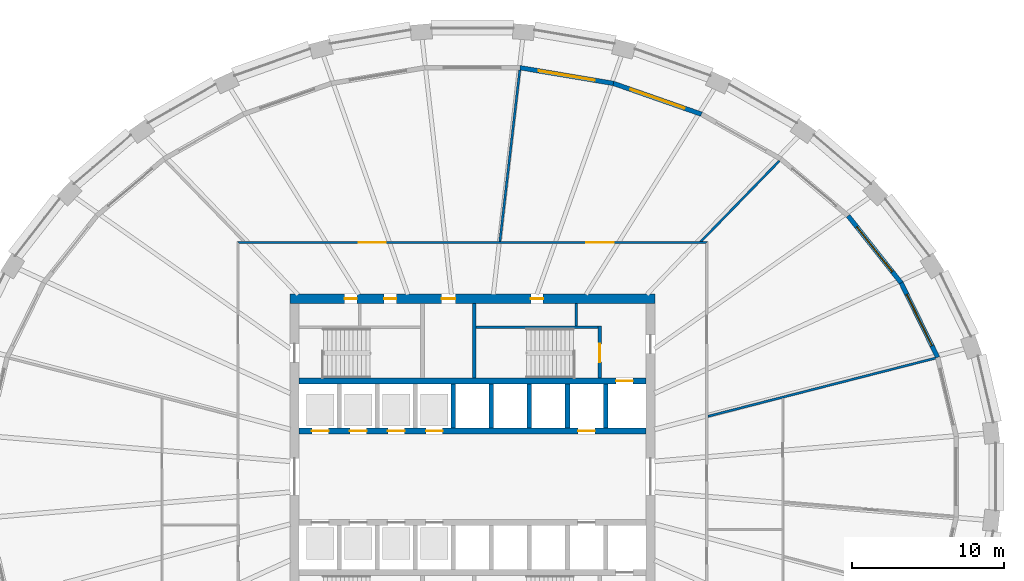
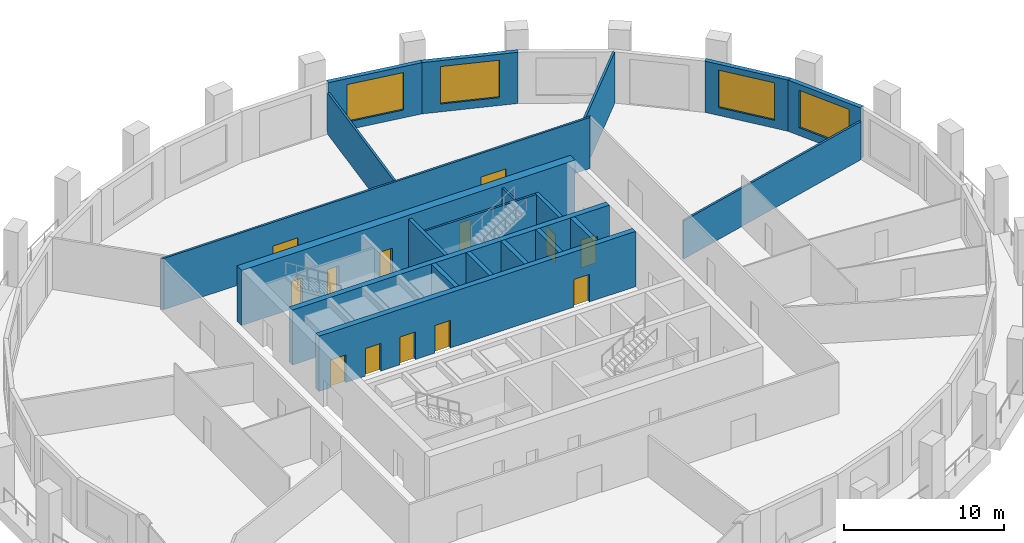
# One storey, part 6 of 10: 20 walls, 13 doors, 4 windows, 17 openings.
"""IFC4 building model written with IfcOpenShell, lengths in metres."""

from ifc_helpers import new_model, si_unit, direction, frame, frame_2d, origin, place, context, subcontext, project, spatial, polyline, rectangle, outline, extrude, material, layer, layer_set, type_object, element, fill, save


model = new_model("IFC4")

# Units and contexts
model_context = context("Model", 3, precision=1e-05, world=origin(), true_north=direction((0.0, 1.0)))
body_context = subcontext(model_context, "Body", "Model", "MODEL_VIEW")
ifc_project = project(units=[si_unit("LENGTHUNIT", "METRE"), si_unit("AREAUNIT", "SQUARE_METRE"), si_unit("VOLUMEUNIT", "CUBIC_METRE"), si_unit("PLANEANGLEUNIT", "RADIAN"), si_unit("MASSUNIT", "GRAM", prefix="KILO")], contexts=[model_context])

# Site, building, storey
site_placement = place(None, origin())
site = spatial("IfcSite", under=ifc_project, at=site_placement, CompositionType="ELEMENT")
building_placement = place(site_placement, origin())
building = spatial("IfcBuilding", under=site, at=building_placement, Name="Halqa Exchange Tower", CompositionType="ELEMENT")
storey_placement = place(building_placement, frame((0.0, 0.0, 138.10009765625)))
storey = spatial("IfcBuildingStorey", under=building, at=storey_placement, Name="L31", CompositionType="ELEMENT", Elevation=138.10009765625)

# Wall, openings, doors
ifc_material_1 = material(Name="Fire-rated gypsum board")
ifc_layer_1 = layer(ifc_material_1, 0.14990234375)
ifc_layer_set_1 = layer_set([ifc_layer_1], Name="Fire-rated gypsum board")
wall_type_1 = type_object("IfcWallType", Name="Fire partition EI 60 150", PredefinedType="PARTITIONING", material=ifc_layer_set_1)
wall_1_placement = place(storey_placement, frame((-15.47509765625, 15.39990234375, 0.0), z_axis=(0.0, 0.0, 1.0), x_axis=(1.0, 0.0, 0.0)))
wall_1 = element("IfcWall", 1, at=wall_1_placement, inside=storey, type_object=wall_type_1, Name="L31-PWL-009", PredefinedType="PARTITIONING", context=body_context, shape_type="SweptSolid", body=[
    extrude(outline(polyline([(0.150146484375, -0.074951171875), (2.065673828125, -0.074951171875), (3.9814453125, -0.074951171875), (5.89697265625, -0.074951171875), (7.8125, -0.074951171875), (9.728271484375, -0.074951171875), (11.643798828125, -0.074951171875), (13.5595703125, -0.074951171875), (15.47509765625, -0.074951171875), (17.390625, -0.074951171875), (19.306396484375, -0.074951171875), (21.221923828125, -0.074951171875), (23.1376953125, -0.074951171875), (25.05322265625, -0.074951171875), (26.96875, -0.074951171875), (28.884521484375, -0.074951171875), (30.800048828125, -0.074951171875), (30.949951171875, 0.074951171875), (29.015625, 0.074951171875), (27.081298828125, 0.074951171875), (25.14697265625, 0.074951171875), (23.21240234375, 0.074951171875), (21.278076171875, 0.074951171875), (19.34375, 0.074951171875), (17.409423828125, 0.074951171875), (15.47509765625, 0.074951171875), (13.540771484375, 0.074951171875), (11.6064453125, 0.074951171875), (9.672119140625, 0.074951171875), (7.73779296875, 0.074951171875), (5.80322265625, 0.074951171875), (3.868896484375, 0.074951171875), (1.9345703125, 0.074951171875), (0.000244140625, 0.074951171875), (0.150146484375, -0.074951171875)])), origin(), (0.0, 0.0, 1.0), 3.89990234375),
])
opening_1_placement = place(wall_1_placement, frame((22.955078125, 0.0, 0.0)))
opening_1 = element("IfcOpeningElement", 2, at=opening_1_placement, cuts=wall_1, Name="Opening 09-01", PredefinedType="OPENING", context=body_context, shape_type="SweptSolid", body=[
    extrude(rectangle(XDim=1.800048828125, YDim=2.10009765625, at=frame_2d((0.89990234375, 1.050048828125))), frame((0.0, 0.0869140625, 0.0), z_axis=(0.0, -1.0, 0.0), x_axis=(1.0, 0.0, 0.0)), (0.0, 0.0, 1.0), 0.173828125),
])
opening_2_placement = place(wall_1_placement, frame((7.9951171875, 0.0, 0.0)))
opening_2 = element("IfcOpeningElement", 3, at=opening_2_placement, cuts=wall_1, Name="Opening 09-02", PredefinedType="OPENING", context=body_context, shape_type="SweptSolid", body=[
    extrude(rectangle(XDim=1.800048828125, YDim=2.10009765625, at=frame_2d((0.89990234375, 1.050048828125))), frame((0.0, 0.0869140625, 0.0), z_axis=(0.0, -1.0, 0.0), x_axis=(1.0, 0.0, 0.0)), (0.0, 0.0, 1.0), 0.173828125),
])
ifc_material_2 = material(Name="Steel fire door leaf", Category="steel")
door_type_1 = type_object("IfcDoorType", Name="Fire door FD30S double 1800 x 2100", OperationType="DOUBLE_DOOR_SINGLE_SWING", PredefinedType="DOOR", material=ifc_material_2)
door_1_placement = place(opening_1_placement, origin())
door_1 = element("IfcDoor", 4, at=door_1_placement, inside=storey, type_object=door_type_1, Name="L31-IDR-001", OperationType="DOUBLE_DOOR_SINGLE_SWING", OverallHeight=2.10009765625, OverallWidth=1.800048828125, PredefinedType="DOOR", context=body_context, shape_type="SweptSolid", body=[
    extrude(rectangle(XDim=1.800048828125, YDim=2.10009765625, at=frame_2d((0.89990234375, 1.050048828125))), frame((0.0, 0.02490234375, 0.0), z_axis=(0.0, -1.0, 0.0), x_axis=(1.0, 0.0, 0.0)), (0.0, 0.0, 1.0), 0.050048828125),
])
fill(opening_1, door_1)
door_2_placement = place(opening_2_placement, origin())
door_2 = element("IfcDoor", 5, at=door_2_placement, inside=storey, type_object=door_type_1, Name="L31-IDR-002", OperationType="DOUBLE_DOOR_SINGLE_SWING", OverallHeight=2.10009765625, OverallWidth=1.800048828125, PredefinedType="DOOR", context=body_context, shape_type="SweptSolid", body=[
    extrude(rectangle(XDim=1.800048828125, YDim=2.10009765625, at=frame_2d((0.89990234375, 1.050048828125))), frame((0.0, 0.02490234375, 0.0), z_axis=(0.0, -1.0, 0.0), x_axis=(1.0, 0.0, 0.0)), (0.0, 0.0, 1.0), 0.050048828125),
])
fill(opening_2, door_2)

# Walls
wall_2_placement = place(storey_placement, frame((1.8076171875, 15.466552734375, 0.0), z_axis=(0.0, 0.0, 1.0), x_axis=(0.115308163836, 0.993329767677, 0.0)))
element("IfcWall", 6, at=wall_2_placement, inside=storey, type_object=wall_type_1, Name="L31-PWL-012", PredefinedType="PARTITIONING", context=body_context, shape_type="SweptSolid", body=[
    extrude(outline(polyline([(0.01708984375, -0.074951171875), (1.904052734375, -0.074951171875), (3.790771484375, -0.074951171875), (5.677490234375, -0.074951171875), (7.564453125, -0.074951171875), (9.451171875, -0.074951171875), (11.337890625, -0.074951171875), (11.338134765625, -0.072509765625), (11.338134765625, 0.029052734375), (11.332763671875, 0.074951171875), (9.444091796875, 0.074951171875), (7.55517578125, 0.074951171875), (5.66650390625, 0.074951171875), (3.777587890625, 0.074951171875), (1.888916015625, 0.074951171875), (0.0, 0.074951171875), (0.0, 0.0732421875), (0.01708984375, -0.074951171875)])), origin(), (0.0, 0.0, 1.0), 3.14697265625),
])
wall_3_placement = place(storey_placement, frame((15.456787109375, 3.964599609375, 0.0), z_axis=(0.0, 0.0, 1.0), x_axis=(0.968826155352, 0.247741560312, 0.0)))
element("IfcWall", 7, at=wall_3_placement, inside=storey, type_object=wall_type_1, Name="L31-PWL-016", PredefinedType="PARTITIONING", context=body_context, shape_type="SweptSolid", body=[
    extrude(outline(polyline([(0.0, -0.074951171875), (1.67724609375, -0.074951171875), (3.354248046875, -0.074951171875), (5.031494140625, -0.074951171875), (5.031982421875, -0.073486328125), (5.03759765625, -0.074951171875), (6.774658203125, -0.074951171875), (8.51171875, -0.074951171875), (10.248779296875, -0.074951171875), (11.98583984375, -0.074951171875), (13.722900390625, -0.074951171875), (15.4599609375, -0.074951171875), (15.4599609375, 0.010498046875), (15.446533203125, 0.074951171875), (13.5205078125, 0.074951171875), (11.594482421875, 0.074951171875), (9.668212890625, 0.074951171875), (7.7421875, 0.074951171875), (5.816162109375, 0.074951171875), (3.89013671875, 0.074951171875), (1.964111328125, 0.074951171875), (0.0380859375, 0.074951171875), (0.0, -0.073486328125), (0.0, -0.074951171875)])), origin(), (0.0, 0.0, 1.0), 2.909912109375),
])
wall_4_placement = place(storey_placement, frame((20.182373046875, 20.7666015625, 0.0), z_axis=(0.0, 0.0, 1.0), x_axis=(-0.697398145205, -0.716683910148, 0.0)))
element("IfcWall", 8, at=wall_4_placement, inside=storey, type_object=wall_type_1, Name="L31-PWL-017", PredefinedType="PARTITIONING", context=body_context, shape_type="SweptSolid", body=[
    extrude(outline(polyline([(7.456298828125, -0.074951171875), (7.456298828125, -0.074951171875), (7.36328125, 0.020751953125), (7.36328125, 0.020751953125), (7.310546875, 0.074951171875), (5.48291015625, 0.074951171875), (3.6552734375, 0.074951171875), (1.82763671875, 0.074951171875), (0.0, 0.074951171875), (0.0, 0.072509765625), (0.00537109375, -0.002197265625), (0.0244140625, -0.074951171875), (1.88232421875, -0.074951171875), (3.740478515625, -0.074951171875), (5.598388671875, -0.074951171875), (7.456298828125, -0.074951171875)])), origin(), (0.0, 0.0, 1.0), 3.89990234375),
])
ifc_material_3 = material(Name="Gypsum board")
ifc_layer_2 = layer(ifc_material_3, 0.14990234375)
ifc_layer_set_2 = layer_set([ifc_layer_2], Name="Gypsum board")
wall_type_2 = type_object("IfcWallType", Name="Penthouse riser wall 150 gypsum", PredefinedType="PARTITIONING", material=ifc_layer_set_2)
wall_5_placement = place(storey_placement, frame((6.824951171875, 9.89990234375, 0.0), z_axis=(0.0, 0.0, 1.0), x_axis=(0.0, 1.0, 0.0)))
element("IfcWall", 9, at=wall_5_placement, inside=storey, type_object=wall_type_2, Name="Firefighting lobby west wall N", PredefinedType="PARTITIONING", context=body_context, shape_type="SweptSolid", body=[
    extrude(rectangle(XDim=1.5, YDim=0.14990234375, at=frame_2d((0.75, 0.0))), origin(), (0.0, 0.0, 1.0), 3.89990234375),
])
ifc_material_4 = material(Name="Concrete C60/75", Category="concrete")
ifc_layer_3 = layer(ifc_material_4, 0.300048828125)
ifc_layer_set_3 = layer_set([ifc_layer_3], Name="Concrete C60/75")
wall_type_3 = type_object("IfcWallType", Name="RC core wall 300", PredefinedType="SHEAR", material=ifc_layer_set_3)
for number, where, z_axis, x_axis, name in (
    (10, (-1.25, 3.199951171875, 0.0), (0.0, 0.0, 1.0), (0.0, 1.0, 0.0), "Shaft divider N4"),
    (11, (1.25, 3.199951171875, 0.0), (0.0, 0.0, 1.0), (0.0, 1.0, 0.0), "Shaft divider N5"),
    (12, (3.75, 3.199951171875, 0.0), (0.0, 0.0, 1.0), (0.0, 1.0, 0.0), "Shaft divider N6"),
    (13, (6.25, 3.199951171875, 0.0), (0.0, 0.0, 1.0), (0.0, 1.0, 0.0), "Shaft divider N7"),
    (14, (8.75, 3.199951171875, 0.0), (0.0, 0.0, 1.0), (0.0, 1.0, 0.0), "Shaft divider N8"),
):
    element("IfcWall", number, at=place(storey_placement, frame(where, z_axis=z_axis, x_axis=x_axis)), inside=storey, type_object=wall_type_3, Name=name, PredefinedType="SHEAR", context=body_context, shape_type="SweptSolid", body=[
        extrude(rectangle(XDim=2.900146484375, YDim=0.300048828125, at=frame_2d((1.4501953125, 0.0))), origin(), (0.0, 0.0, 1.0), 4.199951171875),
    ])

# Wall, openings, doors
ifc_material_5 = material(Name="Concrete C70/85", Category="concrete")
ifc_layer_4 = layer(ifc_material_5, 0.39990234375)
ifc_layer_set_4 = layer_set([ifc_layer_4], Name="Concrete C70/85")
wall_type_4 = type_object("IfcWallType", Name="RC core wall 400 C70/85", PredefinedType="SHEAR", material=ifc_layer_set_4)
wall_6_placement = place(storey_placement, frame((-11.39990234375, 3.0, 0.0), z_axis=(0.0, 0.0, 1.0), x_axis=(1.0, 0.0, 0.0)))
wall_6 = element("IfcWall", 15, at=wall_6_placement, inside=storey, type_object=wall_type_4, Name="Lift row front wall N", PredefinedType="SHEAR", context=body_context, shape_type="SweptSolid", body=[
    extrude(rectangle(XDim=22.7998046875, YDim=0.39990234375, at=frame_2d((11.39990234375, 0.0))), origin(), (0.0, 0.0, 1.0), 4.199951171875),
])
opening_3_placement = place(wall_6_placement, frame((0.85009765625, 0.0, 0.0)))
opening_3 = element("IfcOpeningElement", 16, at=opening_3_placement, cuts=wall_6, Name="Opening LD-LR1-T09", PredefinedType="OPENING", context=body_context, shape_type="SweptSolid", body=[
    extrude(rectangle(XDim=1.10009765625, YDim=2.10009765625, at=frame_2d((0.550048828125, 1.050048828125))), frame((0.0, 0.2119140625, 0.0), z_axis=(0.0, -1.0, 0.0), x_axis=(1.0, 0.0, 0.0)), (0.0, 0.0, 1.0), 0.423828125),
])
opening_4_placement = place(wall_6_placement, frame((3.35009765625, 0.0, 0.0)))
opening_4 = element("IfcOpeningElement", 17, at=opening_4_placement, cuts=wall_6, Name="Opening LD-LR2-T09", PredefinedType="OPENING", context=body_context, shape_type="SweptSolid", body=[
    extrude(rectangle(XDim=1.10009765625, YDim=2.10009765625, at=frame_2d((0.550048828125, 1.050048828125))), frame((0.0, 0.2119140625, 0.0), z_axis=(0.0, -1.0, 0.0), x_axis=(1.0, 0.0, 0.0)), (0.0, 0.0, 1.0), 0.423828125),
])
opening_5_placement = place(wall_6_placement, frame((5.85009765625, 0.0, 0.0)))
opening_5 = element("IfcOpeningElement", 18, at=opening_5_placement, cuts=wall_6, Name="Opening LD-LR3-T09", PredefinedType="OPENING", context=body_context, shape_type="SweptSolid", body=[
    extrude(rectangle(XDim=1.10009765625, YDim=2.10009765625, at=frame_2d((0.550048828125, 1.050048828125))), frame((0.0, 0.2119140625, 0.0), z_axis=(0.0, -1.0, 0.0), x_axis=(1.0, 0.0, 0.0)), (0.0, 0.0, 1.0), 0.423828125),
])
opening_6_placement = place(wall_6_placement, frame((8.35009765625, 0.0, 0.0)))
opening_6 = element("IfcOpeningElement", 19, at=opening_6_placement, cuts=wall_6, Name="Opening LD-LR4-T09", PredefinedType="OPENING", context=body_context, shape_type="SweptSolid", body=[
    extrude(rectangle(XDim=1.10009765625, YDim=2.10009765625, at=frame_2d((0.550048828125, 1.050048828125))), frame((0.0, 0.2119140625, 0.0), z_axis=(0.0, -1.0, 0.0), x_axis=(1.0, 0.0, 0.0)), (0.0, 0.0, 1.0), 0.423828125),
])
opening_7_placement = place(wall_6_placement, frame((18.35009765625, 0.0, 0.0)))
opening_7 = element("IfcOpeningElement", 20, at=opening_7_placement, cuts=wall_6, Name="Opening LD-SV1-T09", PredefinedType="OPENING", context=body_context, shape_type="SweptSolid", body=[
    extrude(rectangle(XDim=1.10009765625, YDim=2.10009765625, at=frame_2d((0.550048828125, 1.050048828125))), frame((0.0, 0.2119140625, 0.0), z_axis=(0.0, -1.0, 0.0), x_axis=(1.0, 0.0, 0.0)), (0.0, 0.0, 1.0), 0.423828125),
])
ifc_material_6 = material(Name="Stainless steel", Category="steel")
door_type_2 = type_object("IfcDoorType", Name="Lift landing door 1100 x 2100", OperationType="SLIDING_TO_LEFT", PredefinedType="DOOR", material=ifc_material_6)
door_3_placement = place(opening_3_placement, origin())
door_3 = element("IfcDoor", 21, at=door_3_placement, inside=storey, type_object=door_type_2, Name="Lift landing door LR1", OperationType="SLIDING_TO_LEFT", OverallHeight=2.10009765625, OverallWidth=1.10009765625, PredefinedType="DOOR", context=body_context, shape_type="SweptSolid", body=[
    extrude(rectangle(XDim=1.10009765625, YDim=2.10009765625, at=frame_2d((0.550048828125, 1.050048828125))), frame((0.0, 0.02490234375, 0.0), z_axis=(0.0, -1.0, 0.0), x_axis=(1.0, 0.0, 0.0)), (0.0, 0.0, 1.0), 0.050048828125),
])
fill(opening_3, door_3)
door_4_placement = place(opening_4_placement, origin())
door_4 = element("IfcDoor", 22, at=door_4_placement, inside=storey, type_object=door_type_2, Name="Lift landing door LR2", OperationType="SLIDING_TO_LEFT", OverallHeight=2.10009765625, OverallWidth=1.10009765625, PredefinedType="DOOR", context=body_context, shape_type="SweptSolid", body=[
    extrude(rectangle(XDim=1.10009765625, YDim=2.10009765625, at=frame_2d((0.550048828125, 1.050048828125))), frame((0.0, 0.02490234375, 0.0), z_axis=(0.0, -1.0, 0.0), x_axis=(1.0, 0.0, 0.0)), (0.0, 0.0, 1.0), 0.050048828125),
])
fill(opening_4, door_4)
door_5_placement = place(opening_5_placement, origin())
door_5 = element("IfcDoor", 23, at=door_5_placement, inside=storey, type_object=door_type_2, Name="Lift landing door LR3", OperationType="SLIDING_TO_LEFT", OverallHeight=2.10009765625, OverallWidth=1.10009765625, PredefinedType="DOOR", context=body_context, shape_type="SweptSolid", body=[
    extrude(rectangle(XDim=1.10009765625, YDim=2.10009765625, at=frame_2d((0.550048828125, 1.050048828125))), frame((0.0, 0.02490234375, 0.0), z_axis=(0.0, -1.0, 0.0), x_axis=(1.0, 0.0, 0.0)), (0.0, 0.0, 1.0), 0.050048828125),
])
fill(opening_5, door_5)
door_6_placement = place(opening_6_placement, origin())
door_6 = element("IfcDoor", 24, at=door_6_placement, inside=storey, type_object=door_type_2, Name="Lift landing door LR4", OperationType="SLIDING_TO_LEFT", OverallHeight=2.10009765625, OverallWidth=1.10009765625, PredefinedType="DOOR", context=body_context, shape_type="SweptSolid", body=[
    extrude(rectangle(XDim=1.10009765625, YDim=2.10009765625, at=frame_2d((0.550048828125, 1.050048828125))), frame((0.0, 0.02490234375, 0.0), z_axis=(0.0, -1.0, 0.0), x_axis=(1.0, 0.0, 0.0)), (0.0, 0.0, 1.0), 0.050048828125),
])
fill(opening_6, door_6)
door_7_placement = place(opening_7_placement, origin())
door_7 = element("IfcDoor", 25, at=door_7_placement, inside=storey, type_object=door_type_2, Name="Lift landing door SV1", OperationType="SLIDING_TO_LEFT", OverallHeight=2.10009765625, OverallWidth=1.10009765625, PredefinedType="DOOR", context=body_context, shape_type="SweptSolid", body=[
    extrude(rectangle(XDim=1.10009765625, YDim=2.10009765625, at=frame_2d((0.550048828125, 1.050048828125))), frame((0.0, 0.02490234375, 0.0), z_axis=(0.0, -1.0, 0.0), x_axis=(1.0, 0.0, 0.0)), (0.0, 0.0, 1.0), 0.050048828125),
])
fill(opening_7, door_7)

# Wall, opening, door
wall_7_placement = place(storey_placement, frame((-11.39990234375, 6.300048828125, 0.0), z_axis=(0.0, 0.0, 1.0), x_axis=(1.0, 0.0, 0.0)))
wall_7 = element("IfcWall", 26, at=wall_7_placement, inside=storey, type_object=wall_type_4, Name="Lift row back wall N", PredefinedType="SHEAR", context=body_context, shape_type="SweptSolid", body=[
    extrude(rectangle(XDim=22.7998046875, YDim=0.39990234375, at=frame_2d((11.39990234375, 0.0))), origin(), (0.0, 0.0, 1.0), 4.199951171875),
])
opening_8_placement = place(wall_7_placement, frame((20.85009765625, 0.0, 0.0)))
opening_8 = element("IfcOpeningElement", 27, at=opening_8_placement, cuts=wall_7, Name="Opening LD-FF1-T09", PredefinedType="OPENING", context=body_context, shape_type="SweptSolid", body=[
    extrude(rectangle(XDim=1.10009765625, YDim=2.10009765625, at=frame_2d((0.550048828125, 1.050048828125))), frame((0.0, 0.2119140625, 0.0), z_axis=(0.0, -1.0, 0.0), x_axis=(1.0, 0.0, 0.0)), (0.0, 0.0, 1.0), 0.423828125),
])
door_8_placement = place(opening_8_placement, origin())
door_8 = element("IfcDoor", 28, at=door_8_placement, inside=storey, type_object=door_type_2, Name="Lift landing door FF1", OperationType="SLIDING_TO_LEFT", OverallHeight=2.10009765625, OverallWidth=1.10009765625, PredefinedType="DOOR", context=body_context, shape_type="SweptSolid", body=[
    extrude(rectangle(XDim=1.10009765625, YDim=2.10009765625, at=frame_2d((0.550048828125, 1.050048828125))), frame((0.0, 0.02490234375, 0.0), z_axis=(0.0, -1.0, 0.0), x_axis=(1.0, 0.0, 0.0)), (0.0, 0.0, 1.0), 0.050048828125),
])
fill(opening_8, door_8)

# Wall, openings, doors
ifc_layer_5 = layer(ifc_material_5, 0.60009765625)
ifc_layer_set_5 = layer_set([ifc_layer_5], Name="Concrete C70/85")
wall_type_5 = type_object("IfcWallType", Name="RC core wall 600 C70/85", PredefinedType="SHEAR", material=ifc_layer_set_5)
wall_8_placement = place(storey_placement, frame((-12.0, 11.699951171875, 0.0), z_axis=(0.0, 0.0, 1.0), x_axis=(1.0, 0.0, 0.0)))
wall_8 = element("IfcWall", 29, at=wall_8_placement, inside=storey, type_object=wall_type_5, Name="Core wall north", PredefinedType="SHEAR", context=body_context, shape_type="SweptSolid", body=[
    extrude(rectangle(XDim=24.0, YDim=0.60009765625, at=frame_2d((12.0, 0.0))), origin(), (0.0, 0.0, 1.0), 4.199951171875),
])
opening_9_placement = place(wall_8_placement, frame((9.97509765625, 0.0, 0.0)))
opening_9 = element("IfcOpeningElement", 30, at=opening_9_placement, cuts=wall_8, Name="Opening T09-C21", PredefinedType="OPENING", context=body_context, shape_type="SweptSolid", body=[
    extrude(rectangle(XDim=0.89990234375, YDim=2.10009765625, at=frame_2d((0.449951171875, 1.050048828125))), frame((0.0, 0.31201171875, 0.0), z_axis=(0.0, -1.0, 0.0), x_axis=(1.0, 0.0, 0.0)), (0.0, 0.0, 1.0), 0.6240234375),
])
opening_10_placement = place(wall_8_placement, frame((3.60009765625, 0.0, 0.0)))
opening_10 = element("IfcOpeningElement", 31, at=opening_10_placement, cuts=wall_8, Name="Opening T09-C22", PredefinedType="OPENING", context=body_context, shape_type="SweptSolid", body=[
    extrude(rectangle(XDim=0.800048828125, YDim=2.10009765625, at=frame_2d((0.39990234375, 1.050048828125))), frame((0.0, 0.31201171875, 0.0), z_axis=(0.0, -1.0, 0.0), x_axis=(1.0, 0.0, 0.0)), (0.0, 0.0, 1.0), 0.6240234375),
])
opening_11_placement = place(wall_8_placement, frame((6.199951171875, 0.0, 0.0)))
opening_11 = element("IfcOpeningElement", 32, at=opening_11_placement, cuts=wall_8, Name="Opening T09-C23", PredefinedType="OPENING", context=body_context, shape_type="SweptSolid", body=[
    extrude(rectangle(XDim=0.800048828125, YDim=2.10009765625, at=frame_2d((0.39990234375, 1.050048828125))), frame((0.0, 0.31201171875, 0.0), z_axis=(0.0, -1.0, 0.0), x_axis=(1.0, 0.0, 0.0)), (0.0, 0.0, 1.0), 0.6240234375),
])
opening_12_placement = place(wall_8_placement, frame((15.85009765625, 0.0, 0.0)))
opening_12 = element("IfcOpeningElement", 33, at=opening_12_placement, cuts=wall_8, Name="Opening T09-C24", PredefinedType="OPENING", context=body_context, shape_type="SweptSolid", body=[
    extrude(rectangle(XDim=0.800048828125, YDim=2.10009765625, at=frame_2d((0.39990234375, 1.050048828125))), frame((0.0, 0.31201171875, 0.0), z_axis=(0.0, -1.0, 0.0), x_axis=(1.0, 0.0, 0.0)), (0.0, 0.0, 1.0), 0.6240234375),
])
ifc_material_7 = material(Name="Timber fire door leaf", Category="wood")
door_type_3 = type_object("IfcDoorType", Name="Core room door FD30 900 x 2100", OperationType="SINGLE_SWING_LEFT", PredefinedType="DOOR", material=ifc_material_7)
door_9_placement = place(opening_9_placement, frame((0.89990234375, 0.0, 0.0), z_axis=(0.0, 0.0, 1.0), x_axis=(-1.0, 0.0, 0.0)))
door_9 = element("IfcDoor", 34, at=door_9_placement, inside=storey, type_object=door_type_3, Name="Core room door", OperationType="SINGLE_SWING_RIGHT", OverallHeight=2.10009765625, OverallWidth=0.89990234375, PredefinedType="DOOR", context=body_context, shape_type="SweptSolid", body=[
    extrude(rectangle(XDim=0.89990234375, YDim=2.10009765625, at=frame_2d((0.449951171875, 1.050048828125))), frame((0.0, 0.02490234375, 0.0), z_axis=(0.0, -1.0, 0.0), x_axis=(1.0, 0.0, 0.0)), (0.0, 0.0, 1.0), 0.050048828125),
])
fill(opening_9, door_9)
door_type_4 = type_object("IfcDoorType", Name="Riser door FD60 800 x 2100", OperationType="SINGLE_SWING_LEFT", PredefinedType="DOOR", material=ifc_material_2)
door_10_placement = place(opening_10_placement, frame((0.800048828125, 0.0, 0.0), z_axis=(0.0, 0.0, 1.0), x_axis=(-1.0, 0.0, 0.0)))
door_10 = element("IfcDoor", 35, at=door_10_placement, inside=storey, type_object=door_type_4, Name="Core room door", OperationType="SINGLE_SWING_RIGHT", OverallHeight=2.10009765625, OverallWidth=0.800048828125, PredefinedType="DOOR", context=body_context, shape_type="SweptSolid", body=[
    extrude(rectangle(XDim=0.800048828125, YDim=2.10009765625, at=frame_2d((0.39990234375, 1.050048828125))), frame((0.0, 0.02490234375, 0.0), z_axis=(0.0, -1.0, 0.0), x_axis=(1.0, 0.0, 0.0)), (0.0, 0.0, 1.0), 0.050048828125),
])
fill(opening_10, door_10)
door_11_placement = place(opening_11_placement, frame((0.800048828125, 0.0, 0.0), z_axis=(0.0, 0.0, 1.0), x_axis=(-1.0, 0.0, 0.0)))
door_11 = element("IfcDoor", 36, at=door_11_placement, inside=storey, type_object=door_type_4, Name="Core room door", OperationType="SINGLE_SWING_RIGHT", OverallHeight=2.10009765625, OverallWidth=0.800048828125, PredefinedType="DOOR", context=body_context, shape_type="SweptSolid", body=[
    extrude(rectangle(XDim=0.800048828125, YDim=2.10009765625, at=frame_2d((0.39990234375, 1.050048828125))), frame((0.0, 0.02490234375, 0.0), z_axis=(0.0, -1.0, 0.0), x_axis=(1.0, 0.0, 0.0)), (0.0, 0.0, 1.0), 0.050048828125),
])
fill(opening_11, door_11)
door_12_placement = place(opening_12_placement, frame((0.800048828125, 0.0, 0.0), z_axis=(0.0, 0.0, 1.0), x_axis=(-1.0, 0.0, 0.0)))
door_12 = element("IfcDoor", 37, at=door_12_placement, inside=storey, type_object=door_type_4, Name="Core room door", OperationType="SINGLE_SWING_RIGHT", OverallHeight=2.10009765625, OverallWidth=0.800048828125, PredefinedType="DOOR", context=body_context, shape_type="SweptSolid", body=[
    extrude(rectangle(XDim=0.800048828125, YDim=2.10009765625, at=frame_2d((0.39990234375, 1.050048828125))), frame((0.0, 0.02490234375, 0.0), z_axis=(0.0, -1.0, 0.0), x_axis=(1.0, 0.0, 0.0)), (0.0, 0.0, 1.0), 0.050048828125),
])
fill(opening_12, door_12)

# Walls
ifc_material_8 = material(Name="Concrete C30/37", Category="concrete")
ifc_layer_6 = layer(ifc_material_8, 0.14990234375)
ifc_layer_set_6 = layer_set([ifc_layer_6], Name="Concrete C30/37")
wall_type_6 = type_object("IfcWallType", Name="RC stair wall 150 C30/37", PredefinedType="SHEAR", material=ifc_layer_set_6)
wall_9_placement = place(storey_placement, frame((0.25, 9.824951171875, 0.0), z_axis=(0.0, 0.0, 1.0), x_axis=(1.0, 0.0, 0.0)))
element("IfcWall", 38, at=wall_9_placement, inside=storey, type_object=wall_type_6, Name="Stair ST2 north wall N", PredefinedType="SHEAR", context=body_context, shape_type="SweptSolid", body=[
    extrude(rectangle(XDim=8.0, YDim=0.14990234375, at=frame_2d((4.0, 0.0))), origin(), (0.0, 0.0, 1.0), 3.89990234375),
])
ifc_layer_7 = layer(ifc_material_8, 0.25)
ifc_layer_set_7 = layer_set([ifc_layer_7], Name="Concrete C30/37")
wall_type_7 = type_object("IfcWallType", Name="RC stair wall 250 C30/37", PredefinedType="SHEAR", material=ifc_layer_set_7)
wall_10_placement = place(storey_placement, frame((0.125, 6.5, 0.0), z_axis=(0.0, 0.0, 1.0), x_axis=(0.0, 1.0, 0.0)))
element("IfcWall", 39, at=wall_10_placement, inside=storey, type_object=wall_type_7, Name="Stair ST2 west wall N", PredefinedType="SHEAR", context=body_context, shape_type="SweptSolid", body=[
    extrude(rectangle(XDim=4.89990234375, YDim=0.25, at=frame_2d((2.449951171875, 0.0))), origin(), (0.0, 0.0, 1.0), 3.89990234375),
])

# Wall, opening, door
wall_11_placement = place(storey_placement, frame((8.375, 6.5, 0.0), z_axis=(0.0, 0.0, 1.0), x_axis=(0.0, 1.0, 0.0)))
wall_11 = element("IfcWall", 40, at=wall_11_placement, inside=storey, type_object=wall_type_7, Name="Stair ST2 east wall N", PredefinedType="SHEAR", context=body_context, shape_type="SweptSolid", body=[
    extrude(rectangle(XDim=3.39990234375, YDim=0.25, at=frame_2d((1.699951171875, 0.0))), origin(), (0.0, 0.0, 1.0), 3.89990234375),
])
opening_13_placement = place(wall_11_placement, frame((1.02490234375, 0.0, 0.0)))
opening_13 = element("IfcOpeningElement", 41, at=opening_13_placement, cuts=wall_11, Name="Opening T09-C16", PredefinedType="OPENING", context=body_context, shape_type="SweptSolid", body=[
    extrude(rectangle(XDim=1.199951171875, YDim=2.10009765625, at=frame_2d((0.60009765625, 1.050048828125))), frame((0.0, 0.136962890625, 0.0), z_axis=(0.0, -1.0, 0.0), x_axis=(1.0, 0.0, 0.0)), (0.0, 0.0, 1.0), 0.27392578125),
])
door_type_5 = type_object("IfcDoorType", Name="Stair door FD90 1200 x 2100", OperationType="SINGLE_SWING_LEFT", PredefinedType="DOOR", material=ifc_material_2)
door_13_placement = place(opening_13_placement, origin())
door_13 = element("IfcDoor", 42, at=door_13_placement, inside=storey, type_object=door_type_5, Name="Stair door ST2", OperationType="SINGLE_SWING_LEFT", OverallHeight=2.10009765625, OverallWidth=1.199951171875, PredefinedType="DOOR", context=body_context, shape_type="SweptSolid", body=[
    extrude(rectangle(XDim=1.199951171875, YDim=2.10009765625, at=frame_2d((0.60009765625, 1.050048828125))), frame((0.0, 0.02490234375, 0.0), z_axis=(0.0, -1.0, 0.0), x_axis=(1.0, 0.0, 0.0)), (0.0, 0.0, 1.0), 0.050048828125),
])
fill(opening_13, door_13)

# Wall, opening, window
ifc_material_9 = material(Name="Limestone cladding", Category="masonry")
ifc_layer_8 = layer(ifc_material_9, 0.0400390625)
ifc_material_10 = material(Name="Ventilated cavity")
ifc_layer_9 = layer(ifc_material_10, 0.030029296875, ventilated=True)
ifc_material_11 = material(Name="Mineral wool insulation")
ifc_layer_10 = layer(ifc_material_11, 0.10009765625)
ifc_layer_11 = layer(ifc_material_8, 0.10009765625)
ifc_material_12 = material(Name="Internal plaster")
ifc_layer_12 = layer(ifc_material_12, 0.030029296875)
ifc_layer_set_8 = layer_set([ifc_layer_8, ifc_layer_9, ifc_layer_10, ifc_layer_11, ifc_layer_12], Name="Stone-faced insulated wall 300")
wall_type_8 = type_object("IfcWallType", Name="Stone-faced insulated wall 300", PredefinedType="STANDARD", material=ifc_layer_set_8)
wall_12_placement = place(storey_placement, frame((30.577880859375, 7.848388671875, 0.0), z_axis=(0.0, 0.0, 1.0), x_axis=(-0.440321465864, 0.897840189956, 0.0)))
wall_12 = element("IfcWall", 43, at=wall_12_placement, inside=storey, type_object=wall_type_8, Name="Glass-line wall 2", PredefinedType="STANDARD", context=body_context, shape_type="SweptSolid", body=[
    extrude(outline(polyline([(-0.016845703125, -0.14990234375), (5.467529296875, -0.14990234375), (5.435302734375, 0.14990234375), (0.016845703125, 0.14990234375), (-0.016845703125, -0.14990234375)])), origin(), (0.0, 0.0, 1.0), 3.89990234375),
])
opening_14_placement = place(wall_12_placement, frame((0.850830078125, 0.0, 0.60009765625)))
opening_14 = element("IfcOpeningElement", 44, at=opening_14_placement, cuts=wall_12, Name="Opening W-F2-02", PredefinedType="OPENING", context=body_context, shape_type="SweptSolid", body=[
    extrude(rectangle(XDim=3.75, YDim=2.85009765625, at=frame_2d((1.875, 1.425048828125))), frame((0.0, 0.162109375, 0.0), z_axis=(0.0, -1.0, 0.0), x_axis=(1.0, 0.0, 0.0)), (0.0, 0.0, 1.0), 0.323974609375),
])
ifc_material_13 = material(Name="Clear low-emissivity glass in aluminium frame", Category="aluminium")
window_type = type_object("IfcWindowType", Name="Fixed clear glazed window 3750 x 2850", PartitioningType="TRIPLE_PANEL_VERTICAL", PredefinedType="WINDOW", material=ifc_material_13)
window_1_placement = place(opening_14_placement, origin())
window_1 = element("IfcWindow", 45, at=window_1_placement, inside=storey, type_object=window_type, Name="Window 2", OverallHeight=2.85009765625, OverallWidth=3.75, PartitioningType="TRIPLE_PANEL_VERTICAL", PredefinedType="WINDOW", context=body_context, shape_type="SweptSolid", body=[
    extrude(rectangle(XDim=3.75, YDim=2.85009765625, at=frame_2d((1.875, 1.425048828125))), frame((0.0, 0.030029296875, 0.0), z_axis=(0.0, -1.0, 0.0), x_axis=(1.0, 0.0, 0.0)), (0.0, 0.0, 1.0), 0.06005859375),
])
fill(opening_14, window_1)

wall_13_placement = place(storey_placement, frame((28.177490234375, 12.742919921875, 0.0), z_axis=(0.0, 0.0, 1.0), x_axis=(-0.620464552431, 0.784234492468, 0.0)))
wall_13 = element("IfcWall", 46, at=wall_13_placement, inside=storey, type_object=wall_type_8, Name="Glass-line wall 3", PredefinedType="STANDARD", context=body_context, shape_type="SweptSolid", body=[
    extrude(outline(polyline([(-0.01611328125, -0.14990234375), (5.62939453125, -0.14990234375), (5.59912109375, 0.14990234375), (0.01611328125, 0.14990234375), (-0.01611328125, -0.14990234375)])), origin(), (0.0, 0.0, 1.0), 3.89990234375),
])
opening_15_placement = place(wall_13_placement, frame((0.931884765625, 0.0, 0.60009765625)))
opening_15 = element("IfcOpeningElement", 47, at=opening_15_placement, cuts=wall_13, Name="Opening W-F2-03", PredefinedType="OPENING", context=body_context, shape_type="SweptSolid", body=[
    extrude(rectangle(XDim=3.75, YDim=2.85009765625, at=frame_2d((1.875, 1.425048828125))), frame((0.0, 0.162109375, 0.0), z_axis=(0.0, -1.0, 0.0), x_axis=(1.0, 0.0, 0.0)), (0.0, 0.0, 1.0), 0.323974609375),
])
window_2_placement = place(opening_15_placement, origin())
window_2 = element("IfcWindow", 48, at=window_2_placement, inside=storey, type_object=window_type, Name="Window 2", OverallHeight=2.85009765625, OverallWidth=3.75, PartitioningType="TRIPLE_PANEL_VERTICAL", PredefinedType="WINDOW", context=body_context, shape_type="SweptSolid", body=[
    extrude(rectangle(XDim=3.75, YDim=2.85009765625, at=frame_2d((1.875, 1.425048828125))), frame((0.0, 0.030029296875, 0.0), z_axis=(0.0, -1.0, 0.0), x_axis=(1.0, 0.0, 0.0)), (0.0, 0.0, 1.0), 0.06005859375),
])
fill(opening_15, window_2)

wall_14_placement = place(storey_placement, frame((15.054931640625, 23.8271484375, 0.0), z_axis=(0.0, 0.0, 1.0), x_axis=(-0.943911133508, 0.330199594245, 0.0)))
wall_14 = element("IfcWall", 49, at=wall_14_placement, inside=storey, type_object=wall_type_8, Name="Glass-line wall 6", PredefinedType="STANDARD", context=body_context, shape_type="SweptSolid", body=[
    extrude(outline(polyline([(-0.013427734375, -0.14990234375), (6.141357421875, -0.14990234375), (6.115966796875, 0.14990234375), (0.013427734375, 0.14990234375), (-0.013427734375, -0.14990234375)])), origin(), (0.0, 0.0, 1.0), 3.89990234375),
])
opening_16_placement = place(wall_14_placement, frame((1.189208984375, 0.0, 0.60009765625)))
opening_16 = element("IfcOpeningElement", 50, at=opening_16_placement, cuts=wall_14, Name="Opening W-F2-06", PredefinedType="OPENING", context=body_context, shape_type="SweptSolid", body=[
    extrude(rectangle(XDim=3.75, YDim=2.85009765625, at=frame_2d((1.875, 1.425048828125))), frame((0.0, 0.162109375, 0.0), z_axis=(0.0, -1.0, 0.0), x_axis=(1.0, 0.0, 0.0)), (0.0, 0.0, 1.0), 0.323974609375),
])
window_3_placement = place(opening_16_placement, origin())
window_3 = element("IfcWindow", 51, at=window_3_placement, inside=storey, type_object=window_type, Name="Window 2", OverallHeight=2.85009765625, OverallWidth=3.75, PartitioningType="TRIPLE_PANEL_VERTICAL", PredefinedType="WINDOW", context=body_context, shape_type="SweptSolid", body=[
    extrude(rectangle(XDim=3.75, YDim=2.85009765625, at=frame_2d((1.875, 1.425048828125))), frame((0.0, 0.030029296875, 0.0), z_axis=(0.0, -1.0, 0.0), x_axis=(1.0, 0.0, 0.0)), (0.0, 0.0, 1.0), 0.06005859375),
])
fill(opening_16, window_3)

wall_15_placement = place(storey_placement, frame((9.27001953125, 25.850830078125, 0.0), z_axis=(0.0, 0.0, 1.0), x_axis=(-0.9861811474, 0.165670590368, 0.0)))
wall_15 = element("IfcWall", 52, at=wall_15_placement, inside=storey, type_object=wall_type_8, Name="Glass-line wall 7", PredefinedType="STANDARD", context=body_context, shape_type="SweptSolid", body=[
    extrude(outline(polyline([(-0.0126953125, -0.14990234375), (6.238525390625, -0.14990234375), (6.213623046875, 0.14990234375), (0.0126953125, 0.14990234375), (-0.0126953125, -0.14990234375)])), origin(), (0.0, 0.0, 1.0), 3.89990234375),
])
opening_17_placement = place(wall_15_placement, frame((1.238037109375, 0.0, 0.60009765625)))
opening_17 = element("IfcOpeningElement", 53, at=opening_17_placement, cuts=wall_15, Name="Opening W-F2-07", PredefinedType="OPENING", context=body_context, shape_type="SweptSolid", body=[
    extrude(rectangle(XDim=3.75, YDim=2.85009765625, at=frame_2d((1.875, 1.425048828125))), frame((0.0, 0.162109375, 0.0), z_axis=(0.0, -1.0, 0.0), x_axis=(1.0, 0.0, 0.0)), (0.0, 0.0, 1.0), 0.323974609375),
])
window_4_placement = place(opening_17_placement, origin())
window_4 = element("IfcWindow", 54, at=window_4_placement, inside=storey, type_object=window_type, Name="Window 2", OverallHeight=2.85009765625, OverallWidth=3.75, PartitioningType="TRIPLE_PANEL_VERTICAL", PredefinedType="WINDOW", context=body_context, shape_type="SweptSolid", body=[
    extrude(rectangle(XDim=3.75, YDim=2.85009765625, at=frame_2d((1.875, 1.425048828125))), frame((0.0, 0.030029296875, 0.0), z_axis=(0.0, -1.0, 0.0), x_axis=(1.0, 0.0, 0.0)), (0.0, 0.0, 1.0), 0.06005859375),
])
fill(opening_17, window_4)

save(model, "model.ifc")
